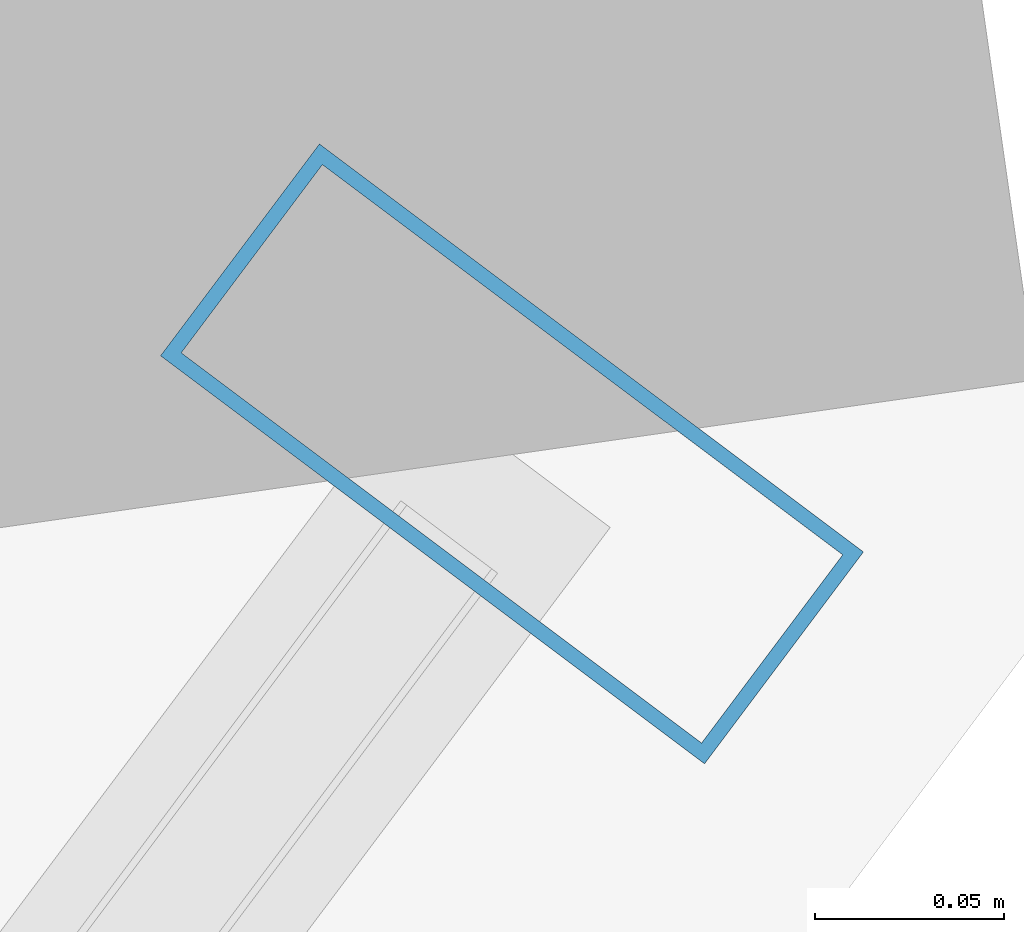
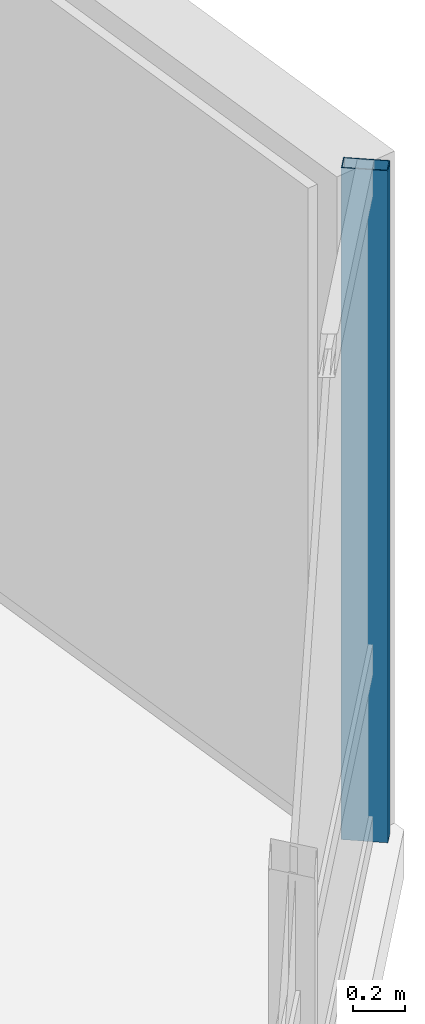
# One storey, part 18 of 36: 1 member, 1 element without a shape of its own.
"""IFC4 building model written with IfcOpenShell, lengths in metres."""

from ifc_helpers import new_model, si_unit, direction, frame, origin, origin_2d, place, context, subcontext, project, spatial, hollow_rectangle, extrude, material, layer, layer_set, material_profile, profile_set, type_object, element, aggregate, save


model = new_model("IFC4")

# Units and contexts
model_context = context("Model", 3, precision=1e-05, world=origin(), true_north=direction((0.0, 1.0)))
body_context = subcontext(model_context, "Body", "Model", "MODEL_VIEW")
ifc_project = project(units=[si_unit("LENGTHUNIT", "METRE"), si_unit("AREAUNIT", "SQUARE_METRE"), si_unit("VOLUMEUNIT", "CUBIC_METRE"), si_unit("PLANEANGLEUNIT", "RADIAN"), si_unit("MASSUNIT", "GRAM", prefix="KILO")], contexts=[model_context])

# Site, building, storey
site_placement = place(None, origin())
site = spatial("IfcSite", under=ifc_project, at=site_placement, CompositionType="ELEMENT")
building_placement = place(site_placement, origin())
building = spatial("IfcBuilding", under=site, at=building_placement, Name="Hatsunagi Terrace Concourse", CompositionType="ELEMENT")
storey_placement = place(building_placement, frame((0.0, 0.0, 84.64990234375)))
storey = spatial("IfcBuildingStorey", under=building, at=storey_placement, Name="L22", CompositionType="ELEMENT", Elevation=84.64990234375)

# Curtain wall, member
ifc_material_1 = material(Name="Anodised Aluminium Alloy 6063-T5", Category="aluminium")
ifc_layer = layer(ifc_material_1, 0.199951171875)
ifc_layer_set = layer_set([ifc_layer], Name="HotelFacade_CW02")
curtain_wall_type = type_object("IfcCurtainWallType", Name="HotelFacade_CW02", PredefinedType="NOTDEFINED", material=ifc_layer_set)
curtain_wall_placement = place(storey_placement, origin())
curtain_wall = element("IfcCurtainWall", 1, at=curtain_wall_placement, inside=storey, type_object=curtain_wall_type, Name="Unitised Curtain Wall CW-02 CW-L22-03", PredefinedType="NOTDEFINED")
ifc_material_2 = material(Name="Anodised Aluminium Alloy 6063-T5", Category="aluminium")
ifc_material_profile = material_profile(ifc_material_2, hollow_rectangle(XDim=0.070068359375, YDim=0.179931640625, WallThickness=0.00390625, at=origin_2d()), Name="ALU-MUL-180x70x4")
ifc_profile_set = profile_set([ifc_material_profile], Name="Anodised Aluminium Alloy 6063-T5")
member_type = type_object("IfcMemberType", Name="CurtainWallMullion_180x70", PredefinedType="MULLION", material=ifc_profile_set)
member_placement = place(storey_placement, frame((69.093017578125, 19.657958984375, 0.0), z_axis=(0.0, 0.0, 1.0), x_axis=(-0.599969314634, -0.800023013105, 0.0)))
member = element("IfcMember", 2, at=member_placement, type_object=member_type, Name="Curtain Wall Mullion MUL-02", PredefinedType="MULLION", context=body_context, shape_type="SweptSolid", body=[
    extrude(hollow_rectangle(XDim=0.070068359375, YDim=0.179931640625, WallThickness=0.00390625, at=origin_2d()), origin(), (0.0, 0.0, 1.0), 3.130126953125),
])
aggregate(curtain_wall, [member])

save(model, "model.ifc")
